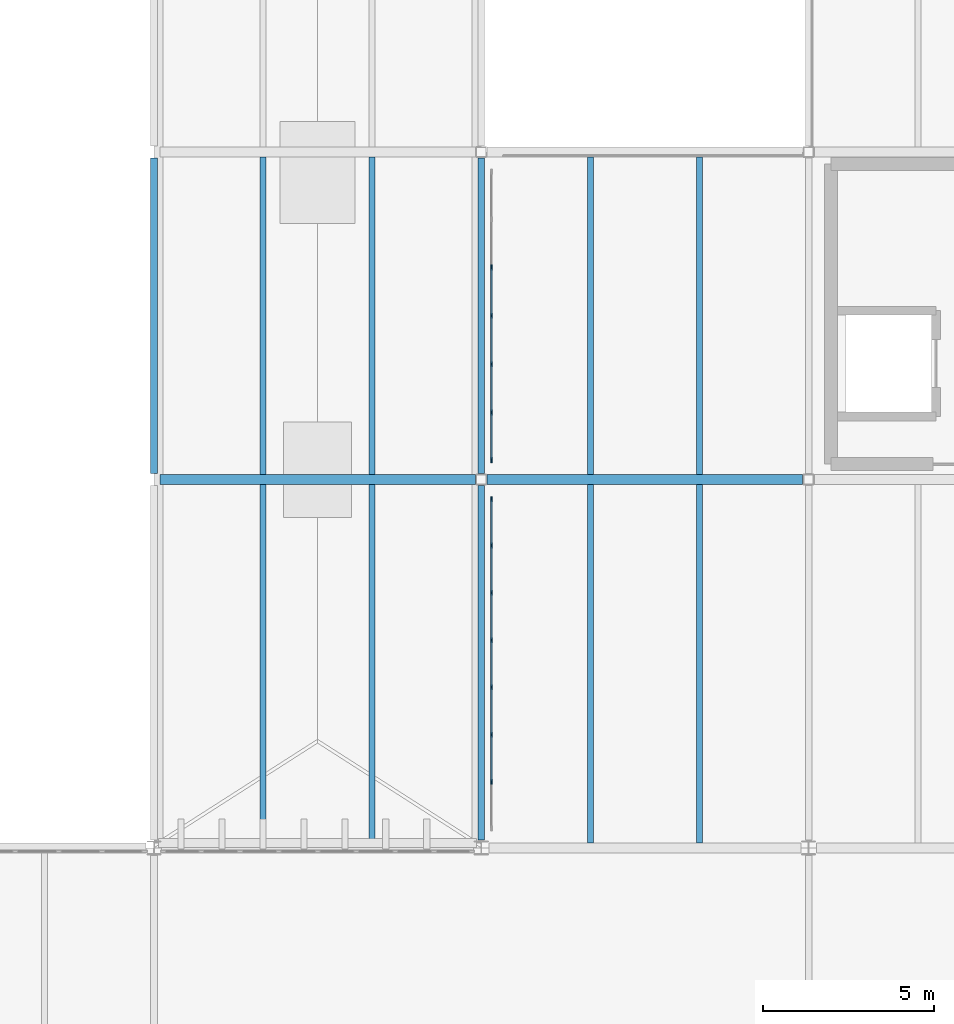
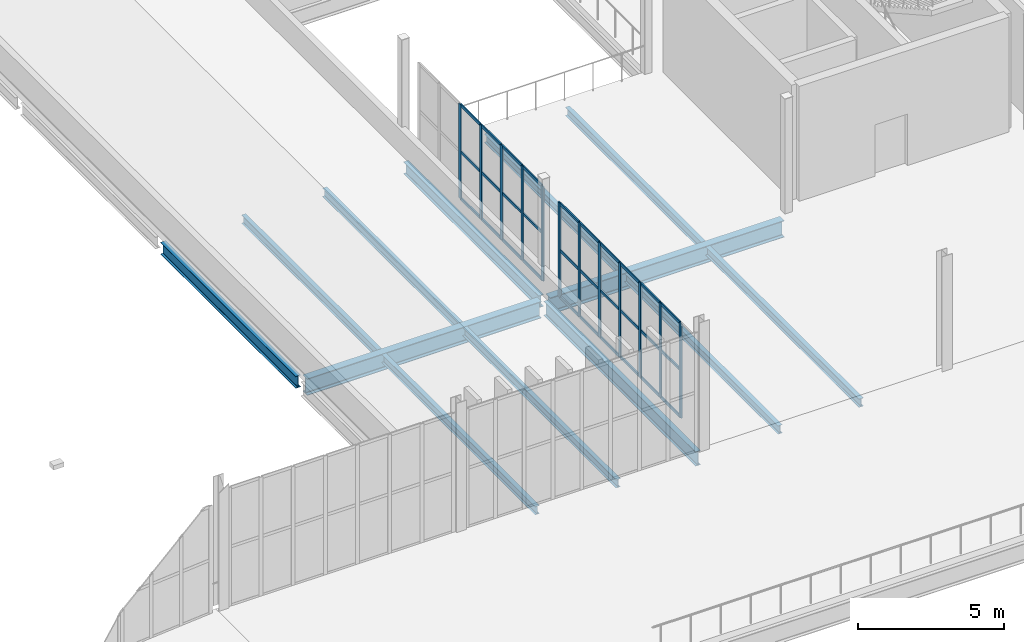
# One storey, part 43 of 112: 42 members, 13 beams, 2 elements without a shape of their own.
"""IFC4 building model written with IfcOpenShell, lengths in metres."""

import ifcopenshell
import ifcopenshell.guid

model = None  # the IFC model being written
_history = None  # IfcOwnerHistory: only IFC2X3 demands one
_inside = {}  # id of a spatial element -> (the spatial element, [elements in it])
_under = {}  # id of a project, library or spatial element -> (it, [spatial elements below it])
_declared = {}  # id of a project -> (the project, [libraries it declares])
_typed = {}  # id of a type object -> (the type object, [elements of that type])
_made_of = {}  # id of a material, layer set ... -> (it, [elements and type objects made of it])


def new_model(schema):
    """Start an empty IFC model of exactly this schema.

    Asked for "IFC4X3", IfcOpenShell would pick the latest addendum, in which some entities
    have other attributes; the version numbers below select the first issue.
    IFC2X3 requires an IfcOwnerHistory on every rooted entity: one is made here for all.
    """
    global model, _history
    if schema == "IFC4X3":
        model = ifcopenshell.file(schema_version=(4, 3, 0, 0))
    else:
        model = ifcopenshell.file(schema=schema)
    _inside.clear()
    _under.clear()
    _declared.clear()
    _typed.clear()
    _made_of.clear()
    _history = None
    if model.schema == "IFC2X3":
        org = make("IfcOrganization", Name="unknown")
        user = make(
            "IfcPersonAndOrganization",
            ThePerson=make("IfcPerson", FamilyName="unknown"),
            TheOrganization=org,
        )
        app = make(
            "IfcApplication",
            ApplicationDeveloper=org,
            Version="unknown",
            ApplicationFullName="unknown",
            ApplicationIdentifier="unknown",
        )
        _history = make(
            "IfcOwnerHistory",
            OwningUser=user,
            OwningApplication=app,
            ChangeAction="ADDED",
            CreationDate=0,
        )
    return model


def make(cls, **values):
    """One entity of the class cls with the attributes given. An attribute that is None is left unset."""
    return model.create_entity(
        cls, **{name: value for name, value in values.items() if value is not None}
    )


def rooted(cls, **values):
    """An entity with a GlobalId (a new one), such as an element, a storey or a relation."""
    return make(cls, GlobalId=ifcopenshell.guid.new(), OwnerHistory=_history, **values)


def si_unit(unit_type, name, prefix=None):
    """IfcSIUnit, for example si_unit("LENGTHUNIT", "METRE", prefix="MILLI")."""
    return make("IfcSIUnit", UnitType=unit_type, Prefix=prefix, Name=name)


def assignment(units):
    """IfcUnitAssignment: the units of a project."""
    return None if units is None else make("IfcUnitAssignment", Units=units)


def point(xyz):
    """IfcCartesianPoint."""
    return None if xyz is None else make("IfcCartesianPoint", Coordinates=xyz)


def direction(xyz):
    """IfcDirection."""
    return None if xyz is None else make("IfcDirection", DirectionRatios=xyz)


def frame(location, z_axis=None, x_axis=None):
    """IfcAxis2Placement3D, a coordinate frame: its origin and axes. An axis left out is left unset."""
    return make(
        "IfcAxis2Placement3D",
        Location=point(location),
        Axis=direction(z_axis),
        RefDirection=direction(x_axis),
    )


def frame_2d(location, x_axis=None):
    """IfcAxis2Placement2D, a coordinate frame in the plane: its origin and x axis."""
    return make(
        "IfcAxis2Placement2D", Location=point(location), RefDirection=direction(x_axis)
    )


def origin():
    """The frame at (0, 0, 0) with its axes left unset."""
    return frame((0.0, 0.0, 0.0))


def origin_2d():
    """The frame at (0, 0) in the plane with its x axis left unset."""
    return frame_2d((0.0, 0.0))


def place(relative_to, where):
    """IfcLocalPlacement: puts the frame where relative to a parent placement (None: the world)."""
    return make(
        "IfcLocalPlacement", PlacementRelTo=relative_to, RelativePlacement=where
    )


def context(
    kind, dimensions, precision=None, world=None, true_north=None, identifier=None
):
    """IfcGeometricRepresentationContext, for example the 3D "Model" context."""
    return make(
        "IfcGeometricRepresentationContext",
        ContextIdentifier=identifier,
        ContextType=kind,
        CoordinateSpaceDimension=dimensions,
        Precision=precision,
        WorldCoordinateSystem=world,
        TrueNorth=true_north,
    )


def subcontext(parent, identifier, kind, view, scale=None):
    """IfcGeometricRepresentationSubContext, for example "Body" below "Model"."""
    return make(
        "IfcGeometricRepresentationSubContext",
        ContextIdentifier=identifier,
        ContextType=kind,
        ParentContext=parent,
        TargetScale=scale,
        TargetView=view,
    )


def project(units=None, contexts=None):
    """IfcProject with its units and contexts."""
    return rooted(
        "IfcProject",
        Name="project",
        RepresentationContexts=contexts,
        UnitsInContext=assignment(units),
    )


def spatial(cls, under=None, at=None, **own):
    """A site, building, storey or space (cls), placed at a placement, below another one or the project."""
    s = rooted(cls, ObjectPlacement=at, **own)
    if under is not None:
        _under.setdefault(under.id(), (under, []))[1].append(s)
    return s


def profile(cls, at=None, kind="AREA", **sizes):
    """A parametric profile (cls). Its sizes go by their IFC names, for example OverallWidth=200.0."""
    return make(cls, ProfileType=kind, Position=at, **sizes)


def rectangle(**sizes):
    """IfcRectangleProfileDef."""
    return profile("IfcRectangleProfileDef", **sizes)


def i_section(**sizes):
    """IfcIShapeProfileDef."""
    return profile("IfcIShapeProfileDef", **sizes)


def extrude(swept, where, along, depth):
    """IfcExtrudedAreaSolid: the profile swept, set in the frame where, extruded along a direction by depth."""
    return make(
        "IfcExtrudedAreaSolid",
        SweptArea=swept,
        Position=where,
        ExtrudedDirection=direction(along),
        Depth=depth,
    )


def shape(context_of_items, identifier, shape_type, items):
    """IfcShapeRepresentation: the items that make up one representation, for example the "Body"."""
    return make(
        "IfcShapeRepresentation",
        ContextOfItems=context_of_items,
        RepresentationIdentifier=identifier,
        RepresentationType=shape_type,
        Items=items,
    )


def material(Name=None, Category=None):
    """IfcMaterial."""
    return make("IfcMaterial", Name=Name, Category=Category)


def layer(
    of_material, thickness, ventilated=None, Name=None, Category=None, Priority=None
):
    """IfcMaterialLayer: one layer of a wall or slab, of a material (None: an air gap)."""
    return make(
        "IfcMaterialLayer",
        Material=of_material,
        LayerThickness=thickness,
        IsVentilated=ventilated,
        Name=Name,
        Category=Category,
        Priority=Priority,
    )


def layer_set(layers, Name=None):
    """IfcMaterialLayerSet."""
    return make("IfcMaterialLayerSet", MaterialLayers=layers, LayerSetName=Name)


def material_profile(
    of_material, cross_section, Name=None, Category=None, Priority=None
):
    """IfcMaterialProfile: a cross section and its material."""
    return make(
        "IfcMaterialProfile",
        Name=Name,
        Material=of_material,
        Profile=cross_section,
        Priority=Priority,
        Category=Category,
    )


def profile_set(profiles, Name=None, composite=None):
    """IfcMaterialProfileSet."""
    return make(
        "IfcMaterialProfileSet",
        Name=Name,
        MaterialProfiles=profiles,
        CompositeProfile=composite,
    )


def made_of(thing, what):
    """Note that an element or type object is made of a material, layer set ...; save() writes the relation."""
    if what is not None:
        _made_of.setdefault(what.id(), (what, []))[1].append(thing)
    return thing


def type_object(cls, material=None, **own):
    """A type object (cls), such as IfcWallType, which elements share."""
    return made_of(rooted(cls, **own), material)


def element(
    cls,
    number,
    at=None,
    inside=None,
    cuts=None,
    type_object=None,
    material=None,
    context=None,
    identifier="Body",
    shape_type=None,
    held_by="IfcProductDefinitionShape",
    body=None,
    shapes=None,
    **own,
):
    """One element of the class cls, such as IfcWall. Its Tag is "e" and its number.

    at: its placement. inside: the storey or other place that contains it. cuts: it is an
    opening in that element (IfcRelVoidsElement). A single representation is given by context,
    identifier, shape_type and body (its items); several are given by shapes. held_by: the class
    of the entity that holds the representations. save() writes the other relations.
    """
    e = rooted(cls, Tag="e%d" % number, ObjectPlacement=at, **own)
    if body is not None:
        shapes = [shape(context, identifier, shape_type, body)]
    if shapes is not None:
        e.Representation = make(held_by, Representations=shapes)
    if inside is not None:
        _inside.setdefault(inside.id(), (inside, []))[1].append(e)
    if cuts is not None:
        rooted(
            "IfcRelVoidsElement", RelatingBuildingElement=cuts, RelatedOpeningElement=e
        )
    if type_object is not None:
        _typed.setdefault(type_object.id(), (type_object, []))[1].append(e)
    return made_of(e, material)


def aggregate(whole, parts):
    """IfcRelAggregates: a whole, such as a stair, and the parts it consists of."""
    return rooted("IfcRelAggregates", RelatingObject=whole, RelatedObjects=parts)


def save(model, path):
    """Write the relations noted so far, then the file.

    IfcRelAggregates (storeys below a building ...), IfcRelContainedInSpatialStructure (elements
    in a storey), IfcRelDefinesByType, IfcRelAssociatesMaterial and IfcRelDeclares: one each for
    every whole, place, type object, material and project.
    """
    for whole, parts in _under.values():
        aggregate(whole, parts)
    for where, things in _inside.values():
        rooted(
            "IfcRelContainedInSpatialStructure",
            RelatedElements=things,
            RelatingStructure=where,
        )
    for kind, things in _typed.values():
        rooted("IfcRelDefinesByType", RelatedObjects=things, RelatingType=kind)
    for what, things in _made_of.values():
        rooted("IfcRelAssociatesMaterial", RelatedObjects=things, RelatingMaterial=what)
    for by, libraries in _declared.values():
        rooted("IfcRelDeclares", RelatingContext=by, RelatedDefinitions=libraries)
    model.write(path)


model = new_model("IFC4")

# Units and contexts
model_context = context("Model", 3, precision=1e-05, world=origin(), true_north=direction((0.0, 1.0)))
body_context = subcontext(model_context, "Body", "Model", "MODEL_VIEW")
ifc_project = project(units=[si_unit("LENGTHUNIT", "METRE"), si_unit("AREAUNIT", "SQUARE_METRE"), si_unit("VOLUMEUNIT", "CUBIC_METRE"), si_unit("PLANEANGLEUNIT", "RADIAN"), si_unit("MASSUNIT", "GRAM", prefix="KILO")], contexts=[model_context])

# Site, building, storey
site_placement = place(None, origin())
site = spatial("IfcSite", under=ifc_project, at=site_placement, CompositionType="ELEMENT")
building_placement = place(site_placement, origin())
building = spatial("IfcBuilding", under=site, at=building_placement, Name="Yeouljin Market Hall", CompositionType="ELEMENT")
storey_placement = place(building_placement, frame((0.0, 0.0, 6.0)))
storey = spatial("IfcBuildingStorey", under=building, at=storey_placement, Name="L01", CompositionType="ELEMENT", Elevation=6.0)

# Beams
ifc_material_1 = material(Name="Steel SM355", Category="steel")
ifc_material_profile_1 = material_profile(ifc_material_1, i_section(OverallWidth=0.199951171875, OverallDepth=0.5, WebThickness=0.010009765625, FlangeThickness=0.01611328125, FilletRadius=0.02001953125, at=origin_2d()), Name="H-500x200x10x16")
ifc_profile_set_1 = profile_set([ifc_material_profile_1], Name="Steel SM355")
beam_type_1 = type_object("IfcBeamType", Name="Beam_H-500x200x10x16", PredefinedType="BEAM", material=ifc_profile_set_1)
for number, where, z_axis, x_axis, name in (
    (1, (45.0, 88.97509765625, -0.530029296875), (0.0, 1.0, 0.0), (-1.0, 0.0, 0.0), "Primary beam BM-L01-Y159"),
    (2, (54.60009765625, 88.97509765625, -0.530029296875), (0.0, 1.0, 0.0), (-1.0, 0.0, 0.0), "Primary beam BM-L01-Y164"),
):
    element("IfcBeam", number, at=place(storey_placement, frame(where, z_axis=z_axis, x_axis=x_axis)), inside=storey, type_object=beam_type_1, Name=name, PredefinedType="BEAM", context=body_context, shape_type="SweptSolid", body=[
        extrude(i_section(OverallWidth=0.199951171875, OverallDepth=0.5, WebThickness=0.010009765625, FlangeThickness=0.01611328125, FilletRadius=0.02001953125, at=origin_2d()), origin(), (0.0, 0.0, 1.0), 9.25),
    ])
ifc_material_2 = material(Name="Steel SM355", Category="steel")
ifc_material_profile_2 = material_profile(ifc_material_2, i_section(OverallWidth=0.199951171875, OverallDepth=0.60009765625, WebThickness=0.010986328125, FlangeThickness=0.01708984375, FilletRadius=0.02197265625, at=origin_2d()), Name="H-600x200x11x17")
ifc_profile_set_2 = profile_set([ifc_material_profile_2], Name="Steel SM355")
beam_type_2 = type_object("IfcBeamType", Name="Beam_H-600x200x11x17", PredefinedType="BEAM", material=ifc_profile_set_2)
beam_placement = place(storey_placement, frame((54.60009765625, 78.22509765625, -0.580078125), z_axis=(0.0, 1.0, 0.0), x_axis=(-1.0, 0.0, 0.0)))
element("IfcBeam", 3, at=beam_placement, inside=storey, type_object=beam_type_2, Name="Primary beam BM-L01-Y163", PredefinedType="BEAM", context=body_context, shape_type="SweptSolid", body=[
    extrude(i_section(OverallWidth=0.199951171875, OverallDepth=0.60009765625, WebThickness=0.010986328125, FlangeThickness=0.01708984375, FilletRadius=0.02197265625, at=origin_2d()), origin(), (0.0, 0.0, 1.0), 10.39990234375),
])

# Curtain wall, members
ifc_material_3 = material(Name="Thermally Broken Aluminium", Category="aluminium")
ifc_layer = layer(ifc_material_3, 0.14990234375)
ifc_layer_set = layer_set([ifc_layer], Name="Thermally Broken Aluminium")
curtain_wall_type = type_object("IfcCurtainWallType", Name="CW_WingStorefront_System", PredefinedType="USERDEFINED", material=ifc_layer_set)
curtain_wall_1_placement = place(storey_placement, origin())
curtain_wall_1 = element("IfcCurtainWall", 4, at=curtain_wall_1_placement, inside=storey, type_object=curtain_wall_type, Name="Curtain wall CW-CRT-L01-21", ObjectType="CURTAIN WALL", PredefinedType="USERDEFINED")
ifc_material_4 = material(Name="Thermally Broken Aluminium", Category="aluminium")
ifc_material_profile_3 = material_profile(ifc_material_4, rectangle(XDim=0.048095703125, YDim=0.14990234375, at=origin_2d()), Name="CW-MULL-48x150")
ifc_profile_set_3 = profile_set([ifc_material_profile_3], Name="Thermally Broken Aluminium")
member_type_1 = type_object("IfcMemberType", Name="CWMullion_48x150", PredefinedType="MULLION", material=ifc_profile_set_3)
member_1_placement = place(storey_placement, frame((54.89990234375, 79.935791015625, 0.0), z_axis=(0.0, 0.0, 1.0), x_axis=(-1.0, 0.0, 0.0)))
member_1 = element("IfcMember", 5, at=member_1_placement, type_object=member_type_1, Name="CW-04 mullion 2", PredefinedType="MULLION", context=body_context, shape_type="SweptSolid", body=[
    extrude(rectangle(XDim=0.048095703125, YDim=0.14990234375, at=origin_2d()), origin(), (0.0, 0.0, 1.0), 3.949951171875),
])
member_2_placement = place(storey_placement, frame((54.89990234375, 81.321533203125, 0.0), z_axis=(0.0, 0.0, 1.0), x_axis=(-1.0, 0.0, 0.0)))
member_2 = element("IfcMember", 6, at=member_2_placement, type_object=member_type_1, Name="CW-04 mullion 3", PredefinedType="MULLION", context=body_context, shape_type="SweptSolid", body=[
    extrude(rectangle(XDim=0.048095703125, YDim=0.14990234375, at=origin_2d()), origin(), (0.0, 0.0, 1.0), 3.949951171875),
])
member_3_placement = place(storey_placement, frame((54.89990234375, 82.70703125, 0.0), z_axis=(0.0, 0.0, 1.0), x_axis=(-1.0, 0.0, 0.0)))
member_3 = element("IfcMember", 7, at=member_3_placement, type_object=member_type_1, Name="CW-04 mullion 4", PredefinedType="MULLION", context=body_context, shape_type="SweptSolid", body=[
    extrude(rectangle(XDim=0.048095703125, YDim=0.14990234375, at=origin_2d()), origin(), (0.0, 0.0, 1.0), 3.949951171875),
])
member_4_placement = place(storey_placement, frame((54.89990234375, 84.0927734375, 0.0), z_axis=(0.0, 0.0, 1.0), x_axis=(-1.0, 0.0, 0.0)))
member_4 = element("IfcMember", 8, at=member_4_placement, type_object=member_type_1, Name="CW-04 mullion 5", PredefinedType="MULLION", context=body_context, shape_type="SweptSolid", body=[
    extrude(rectangle(XDim=0.048095703125, YDim=0.14990234375, at=origin_2d()), origin(), (0.0, 0.0, 1.0), 3.949951171875),
])
member_5_placement = place(storey_placement, frame((54.89990234375, 85.478515625, 0.0), z_axis=(0.0, 0.0, 1.0), x_axis=(-1.0, 0.0, 0.0)))
member_5 = element("IfcMember", 9, at=member_5_placement, type_object=member_type_1, Name="CW-04 mullion 6", PredefinedType="MULLION", context=body_context, shape_type="SweptSolid", body=[
    extrude(rectangle(XDim=0.048095703125, YDim=0.14990234375, at=origin_2d()), origin(), (0.0, 0.0, 1.0), 3.949951171875),
])
member_6_placement = place(storey_placement, frame((54.89990234375, 86.8642578125, 0.0), z_axis=(0.0, 0.0, 1.0), x_axis=(-1.0, 0.0, 0.0)))
member_6 = element("IfcMember", 10, at=member_6_placement, type_object=member_type_1, Name="CW-04 mullion 7", PredefinedType="MULLION", context=body_context, shape_type="SweptSolid", body=[
    extrude(rectangle(XDim=0.048095703125, YDim=0.14990234375, at=origin_2d()), origin(), (0.0, 0.0, 1.0), 3.949951171875),
])
member_7_placement = place(storey_placement, frame((54.89990234375, 88.22607421875, 0.0), z_axis=(0.0, 0.0, 1.0), x_axis=(-1.0, 0.0, 0.0)))
member_7 = element("IfcMember", 11, at=member_7_placement, type_object=member_type_1, Name="CW-04 mullion 8", PredefinedType="MULLION", context=body_context, shape_type="SweptSolid", body=[
    extrude(rectangle(XDim=0.048095703125, YDim=0.14990234375, at=origin_2d()), origin(), (0.0, 0.0, 1.0), 3.949951171875),
])

curtain_wall_2_placement = place(storey_placement, origin())
curtain_wall_2 = element("IfcCurtainWall", 12, at=curtain_wall_2_placement, inside=storey, type_object=curtain_wall_type, Name="Curtain wall CW-CRT-L01-22", ObjectType="CURTAIN WALL", PredefinedType="USERDEFINED")
member_8_placement = place(storey_placement, frame((54.89990234375, 89.3740234375, 0.0), z_axis=(0.0, 0.0, 1.0), x_axis=(-1.0, 0.0, 0.0)))
member_8 = element("IfcMember", 13, at=member_8_placement, type_object=member_type_1, Name="CW-04 mullion 1", PredefinedType="MULLION", context=body_context, shape_type="SweptSolid", body=[
    extrude(rectangle(XDim=0.048095703125, YDim=0.14990234375, at=origin_2d()), origin(), (0.0, 0.0, 1.0), 3.949951171875),
])
member_9_placement = place(storey_placement, frame((54.89990234375, 90.7666015625, 0.0), z_axis=(0.0, 0.0, 1.0), x_axis=(-1.0, 0.0, 0.0)))
member_9 = element("IfcMember", 14, at=member_9_placement, type_object=member_type_1, Name="CW-04 mullion 2", PredefinedType="MULLION", context=body_context, shape_type="SweptSolid", body=[
    extrude(rectangle(XDim=0.048095703125, YDim=0.14990234375, at=origin_2d()), origin(), (0.0, 0.0, 1.0), 3.949951171875),
])
member_10_placement = place(storey_placement, frame((54.89990234375, 92.183349609375, 0.0), z_axis=(0.0, 0.0, 1.0), x_axis=(-1.0, 0.0, 0.0)))
member_10 = element("IfcMember", 15, at=member_10_placement, type_object=member_type_1, Name="CW-04 mullion 3", PredefinedType="MULLION", context=body_context, shape_type="SweptSolid", body=[
    extrude(rectangle(XDim=0.048095703125, YDim=0.14990234375, at=origin_2d()), origin(), (0.0, 0.0, 1.0), 3.949951171875),
])
member_11_placement = place(storey_placement, frame((54.89990234375, 93.60009765625, 0.0), z_axis=(0.0, 0.0, 1.0), x_axis=(-1.0, 0.0, 0.0)))
member_11 = element("IfcMember", 16, at=member_11_placement, type_object=member_type_1, Name="CW-04 mullion 4", PredefinedType="MULLION", context=body_context, shape_type="SweptSolid", body=[
    extrude(rectangle(XDim=0.048095703125, YDim=0.14990234375, at=origin_2d()), origin(), (0.0, 0.0, 1.0), 3.949951171875),
])
member_12_placement = place(storey_placement, frame((54.89990234375, 95.0166015625, 0.0), z_axis=(0.0, 0.0, 1.0), x_axis=(-1.0, 0.0, 0.0)))
member_12 = element("IfcMember", 17, at=member_12_placement, type_object=member_type_1, Name="CW-04 mullion 5", PredefinedType="MULLION", context=body_context, shape_type="SweptSolid", body=[
    extrude(rectangle(XDim=0.048095703125, YDim=0.14990234375, at=origin_2d()), origin(), (0.0, 0.0, 1.0), 3.949951171875),
])

# Member
ifc_material_5 = material(Name="Thermally Broken Aluminium", Category="aluminium")
ifc_material_profile_4 = material_profile(ifc_material_5, rectangle(XDim=0.048095703125, YDim=0.1201171875, at=origin_2d()), Name="CW-TRAN-48x120")
ifc_profile_set_4 = profile_set([ifc_material_profile_4], Name="Thermally Broken Aluminium")
member_type_2 = type_object("IfcMemberType", Name="CWTransom_48x120", PredefinedType="USERDEFINED", material=ifc_profile_set_4)
member_13_placement = place(storey_placement, frame((54.89990234375, 79.959716796875, 0.02392578125), z_axis=(0.0, 1.0, 0.0), x_axis=(-1.0, 0.0, 0.0)))
member_13 = element("IfcMember", 18, at=member_13_placement, type_object=member_type_2, Name="CW-04 transom 2.1", ObjectType="TRANSOM", PredefinedType="USERDEFINED", context=body_context, shape_type="SweptSolid", body=[
    extrude(rectangle(XDim=0.048095703125, YDim=0.1201171875, at=origin_2d()), origin(), (0.0, 0.0, 1.0), 1.337646484375),
])

member_14_placement = place(storey_placement, frame((54.89990234375, 79.959716796875, 1.97509765625), z_axis=(0.0, 1.0, 0.0), x_axis=(-1.0, 0.0, 0.0)))
member_14 = element("IfcMember", 19, at=member_14_placement, type_object=member_type_2, Name="CW-04 transom 2.2", ObjectType="TRANSOM", PredefinedType="USERDEFINED", context=body_context, shape_type="SweptSolid", body=[
    extrude(rectangle(XDim=0.048095703125, YDim=0.1201171875, at=origin_2d()), origin(), (0.0, 0.0, 1.0), 1.337646484375),
])

member_15_placement = place(storey_placement, frame((54.89990234375, 79.959716796875, 3.926025390625), z_axis=(0.0, 1.0, 0.0), x_axis=(-1.0, 0.0, 0.0)))
member_15 = element("IfcMember", 20, at=member_15_placement, type_object=member_type_2, Name="CW-04 transom 2.3", ObjectType="TRANSOM", PredefinedType="USERDEFINED", context=body_context, shape_type="SweptSolid", body=[
    extrude(rectangle(XDim=0.048095703125, YDim=0.1201171875, at=origin_2d()), origin(), (0.0, 0.0, 1.0), 1.337646484375),
])

member_16_placement = place(storey_placement, frame((54.89990234375, 81.345458984375, 0.02392578125), z_axis=(0.0, 1.0, 0.0), x_axis=(-1.0, 0.0, 0.0)))
member_16 = element("IfcMember", 21, at=member_16_placement, type_object=member_type_2, Name="CW-04 transom 3.1", ObjectType="TRANSOM", PredefinedType="USERDEFINED", context=body_context, shape_type="SweptSolid", body=[
    extrude(rectangle(XDim=0.048095703125, YDim=0.1201171875, at=origin_2d()), origin(), (0.0, 0.0, 1.0), 1.337646484375),
])

member_17_placement = place(storey_placement, frame((54.89990234375, 81.345458984375, 1.97509765625), z_axis=(0.0, 1.0, 0.0), x_axis=(-1.0, 0.0, 0.0)))
member_17 = element("IfcMember", 22, at=member_17_placement, type_object=member_type_2, Name="CW-04 transom 3.2", ObjectType="TRANSOM", PredefinedType="USERDEFINED", context=body_context, shape_type="SweptSolid", body=[
    extrude(rectangle(XDim=0.048095703125, YDim=0.1201171875, at=origin_2d()), origin(), (0.0, 0.0, 1.0), 1.337646484375),
])

member_18_placement = place(storey_placement, frame((54.89990234375, 81.345458984375, 3.926025390625), z_axis=(0.0, 1.0, 0.0), x_axis=(-1.0, 0.0, 0.0)))
member_18 = element("IfcMember", 23, at=member_18_placement, type_object=member_type_2, Name="CW-04 transom 3.3", ObjectType="TRANSOM", PredefinedType="USERDEFINED", context=body_context, shape_type="SweptSolid", body=[
    extrude(rectangle(XDim=0.048095703125, YDim=0.1201171875, at=origin_2d()), origin(), (0.0, 0.0, 1.0), 1.337646484375),
])

member_19_placement = place(storey_placement, frame((54.89990234375, 82.731201171875, 0.02392578125), z_axis=(0.0, 1.0, 0.0), x_axis=(-1.0, 0.0, 0.0)))
member_19 = element("IfcMember", 24, at=member_19_placement, type_object=member_type_2, Name="CW-04 transom 4.1", ObjectType="TRANSOM", PredefinedType="USERDEFINED", context=body_context, shape_type="SweptSolid", body=[
    extrude(rectangle(XDim=0.048095703125, YDim=0.1201171875, at=origin_2d()), origin(), (0.0, 0.0, 1.0), 1.337646484375),
])

member_20_placement = place(storey_placement, frame((54.89990234375, 82.731201171875, 1.97509765625), z_axis=(0.0, 1.0, 0.0), x_axis=(-1.0, 0.0, 0.0)))
member_20 = element("IfcMember", 25, at=member_20_placement, type_object=member_type_2, Name="CW-04 transom 4.2", ObjectType="TRANSOM", PredefinedType="USERDEFINED", context=body_context, shape_type="SweptSolid", body=[
    extrude(rectangle(XDim=0.048095703125, YDim=0.1201171875, at=origin_2d()), origin(), (0.0, 0.0, 1.0), 1.337646484375),
])

member_21_placement = place(storey_placement, frame((54.89990234375, 82.731201171875, 3.926025390625), z_axis=(0.0, 1.0, 0.0), x_axis=(-1.0, 0.0, 0.0)))
member_21 = element("IfcMember", 26, at=member_21_placement, type_object=member_type_2, Name="CW-04 transom 4.3", ObjectType="TRANSOM", PredefinedType="USERDEFINED", context=body_context, shape_type="SweptSolid", body=[
    extrude(rectangle(XDim=0.048095703125, YDim=0.1201171875, at=origin_2d()), origin(), (0.0, 0.0, 1.0), 1.337646484375),
])

member_22_placement = place(storey_placement, frame((54.89990234375, 84.116943359375, 0.02392578125), z_axis=(0.0, 1.0, 0.0), x_axis=(-1.0, 0.0, 0.0)))
member_22 = element("IfcMember", 27, at=member_22_placement, type_object=member_type_2, Name="CW-04 transom 5.1", ObjectType="TRANSOM", PredefinedType="USERDEFINED", context=body_context, shape_type="SweptSolid", body=[
    extrude(rectangle(XDim=0.048095703125, YDim=0.1201171875, at=origin_2d()), origin(), (0.0, 0.0, 1.0), 1.337646484375),
])

member_23_placement = place(storey_placement, frame((54.89990234375, 84.116943359375, 1.97509765625), z_axis=(0.0, 1.0, 0.0), x_axis=(-1.0, 0.0, 0.0)))
member_23 = element("IfcMember", 28, at=member_23_placement, type_object=member_type_2, Name="CW-04 transom 5.2", ObjectType="TRANSOM", PredefinedType="USERDEFINED", context=body_context, shape_type="SweptSolid", body=[
    extrude(rectangle(XDim=0.048095703125, YDim=0.1201171875, at=origin_2d()), origin(), (0.0, 0.0, 1.0), 1.337646484375),
])

member_24_placement = place(storey_placement, frame((54.89990234375, 84.116943359375, 3.926025390625), z_axis=(0.0, 1.0, 0.0), x_axis=(-1.0, 0.0, 0.0)))
member_24 = element("IfcMember", 29, at=member_24_placement, type_object=member_type_2, Name="CW-04 transom 5.3", ObjectType="TRANSOM", PredefinedType="USERDEFINED", context=body_context, shape_type="SweptSolid", body=[
    extrude(rectangle(XDim=0.048095703125, YDim=0.1201171875, at=origin_2d()), origin(), (0.0, 0.0, 1.0), 1.337646484375),
])

member_25_placement = place(storey_placement, frame((54.89990234375, 85.502685546875, 0.02392578125), z_axis=(0.0, 1.0, 0.0), x_axis=(-1.0, 0.0, 0.0)))
member_25 = element("IfcMember", 30, at=member_25_placement, type_object=member_type_2, Name="CW-04 transom 6.1", ObjectType="TRANSOM", PredefinedType="USERDEFINED", context=body_context, shape_type="SweptSolid", body=[
    extrude(rectangle(XDim=0.048095703125, YDim=0.1201171875, at=origin_2d()), origin(), (0.0, 0.0, 1.0), 1.337646484375),
])

member_26_placement = place(storey_placement, frame((54.89990234375, 85.502685546875, 1.97509765625), z_axis=(0.0, 1.0, 0.0), x_axis=(-1.0, 0.0, 0.0)))
member_26 = element("IfcMember", 31, at=member_26_placement, type_object=member_type_2, Name="CW-04 transom 6.2", ObjectType="TRANSOM", PredefinedType="USERDEFINED", context=body_context, shape_type="SweptSolid", body=[
    extrude(rectangle(XDim=0.048095703125, YDim=0.1201171875, at=origin_2d()), origin(), (0.0, 0.0, 1.0), 1.337646484375),
])

member_27_placement = place(storey_placement, frame((54.89990234375, 85.502685546875, 3.926025390625), z_axis=(0.0, 1.0, 0.0), x_axis=(-1.0, 0.0, 0.0)))
member_27 = element("IfcMember", 32, at=member_27_placement, type_object=member_type_2, Name="CW-04 transom 6.3", ObjectType="TRANSOM", PredefinedType="USERDEFINED", context=body_context, shape_type="SweptSolid", body=[
    extrude(rectangle(XDim=0.048095703125, YDim=0.1201171875, at=origin_2d()), origin(), (0.0, 0.0, 1.0), 1.337646484375),
])

member_28_placement = place(storey_placement, frame((54.89990234375, 86.88818359375, 0.02392578125), z_axis=(0.0, 1.0, 0.0), x_axis=(-1.0, 0.0, 0.0)))
member_28 = element("IfcMember", 33, at=member_28_placement, type_object=member_type_2, Name="CW-04 transom 7.1", ObjectType="TRANSOM", PredefinedType="USERDEFINED", context=body_context, shape_type="SweptSolid", body=[
    extrude(rectangle(XDim=0.048095703125, YDim=0.1201171875, at=origin_2d()), origin(), (0.0, 0.0, 1.0), 1.313720703125),
])

member_29_placement = place(storey_placement, frame((54.89990234375, 86.88818359375, 1.97509765625), z_axis=(0.0, 1.0, 0.0), x_axis=(-1.0, 0.0, 0.0)))
member_29 = element("IfcMember", 34, at=member_29_placement, type_object=member_type_2, Name="CW-04 transom 7.2", ObjectType="TRANSOM", PredefinedType="USERDEFINED", context=body_context, shape_type="SweptSolid", body=[
    extrude(rectangle(XDim=0.048095703125, YDim=0.1201171875, at=origin_2d()), origin(), (0.0, 0.0, 1.0), 1.313720703125),
])

member_30_placement = place(storey_placement, frame((54.89990234375, 86.88818359375, 3.926025390625), z_axis=(0.0, 1.0, 0.0), x_axis=(-1.0, 0.0, 0.0)))
member_30 = element("IfcMember", 35, at=member_30_placement, type_object=member_type_2, Name="CW-04 transom 7.3", ObjectType="TRANSOM", PredefinedType="USERDEFINED", context=body_context, shape_type="SweptSolid", body=[
    extrude(rectangle(XDim=0.048095703125, YDim=0.1201171875, at=origin_2d()), origin(), (0.0, 0.0, 1.0), 1.313720703125),
])

aggregate(curtain_wall_1, [member_1, member_2, member_3, member_4, member_5, member_6, member_7, member_13, member_14, member_15, member_16, member_17, member_18, member_19, member_20, member_21, member_22, member_23, member_24, member_25, member_26, member_27, member_28, member_29, member_30])

member_31_placement = place(storey_placement, frame((54.89990234375, 89.39794921875, 0.02392578125), z_axis=(0.0, 1.0, 0.0), x_axis=(-1.0, 0.0, 0.0)))
member_31 = element("IfcMember", 36, at=member_31_placement, type_object=member_type_2, Name="CW-04 transom 1.1", ObjectType="TRANSOM", PredefinedType="USERDEFINED", context=body_context, shape_type="SweptSolid", body=[
    extrude(rectangle(XDim=0.048095703125, YDim=0.1201171875, at=origin_2d()), origin(), (0.0, 0.0, 1.0), 1.3447265625),
])

member_32_placement = place(storey_placement, frame((54.89990234375, 89.39794921875, 1.97509765625), z_axis=(0.0, 1.0, 0.0), x_axis=(-1.0, 0.0, 0.0)))
member_32 = element("IfcMember", 37, at=member_32_placement, type_object=member_type_2, Name="CW-04 transom 1.2", ObjectType="TRANSOM", PredefinedType="USERDEFINED", context=body_context, shape_type="SweptSolid", body=[
    extrude(rectangle(XDim=0.048095703125, YDim=0.1201171875, at=origin_2d()), origin(), (0.0, 0.0, 1.0), 1.3447265625),
])

member_33_placement = place(storey_placement, frame((54.89990234375, 89.39794921875, 3.926025390625), z_axis=(0.0, 1.0, 0.0), x_axis=(-1.0, 0.0, 0.0)))
member_33 = element("IfcMember", 38, at=member_33_placement, type_object=member_type_2, Name="CW-04 transom 1.3", ObjectType="TRANSOM", PredefinedType="USERDEFINED", context=body_context, shape_type="SweptSolid", body=[
    extrude(rectangle(XDim=0.048095703125, YDim=0.1201171875, at=origin_2d()), origin(), (0.0, 0.0, 1.0), 1.3447265625),
])

member_34_placement = place(storey_placement, frame((54.89990234375, 90.790771484375, 0.02392578125), z_axis=(0.0, 1.0, 0.0), x_axis=(-1.0, 0.0, 0.0)))
member_34 = element("IfcMember", 39, at=member_34_placement, type_object=member_type_2, Name="CW-04 transom 2.1", ObjectType="TRANSOM", PredefinedType="USERDEFINED", context=body_context, shape_type="SweptSolid", body=[
    extrude(rectangle(XDim=0.048095703125, YDim=0.1201171875, at=origin_2d()), origin(), (0.0, 0.0, 1.0), 1.36865234375),
])

member_35_placement = place(storey_placement, frame((54.89990234375, 90.790771484375, 1.97509765625), z_axis=(0.0, 1.0, 0.0), x_axis=(-1.0, 0.0, 0.0)))
member_35 = element("IfcMember", 40, at=member_35_placement, type_object=member_type_2, Name="CW-04 transom 2.2", ObjectType="TRANSOM", PredefinedType="USERDEFINED", context=body_context, shape_type="SweptSolid", body=[
    extrude(rectangle(XDim=0.048095703125, YDim=0.1201171875, at=origin_2d()), origin(), (0.0, 0.0, 1.0), 1.36865234375),
])

member_36_placement = place(storey_placement, frame((54.89990234375, 90.790771484375, 3.926025390625), z_axis=(0.0, 1.0, 0.0), x_axis=(-1.0, 0.0, 0.0)))
member_36 = element("IfcMember", 41, at=member_36_placement, type_object=member_type_2, Name="CW-04 transom 2.3", ObjectType="TRANSOM", PredefinedType="USERDEFINED", context=body_context, shape_type="SweptSolid", body=[
    extrude(rectangle(XDim=0.048095703125, YDim=0.1201171875, at=origin_2d()), origin(), (0.0, 0.0, 1.0), 1.36865234375),
])

member_37_placement = place(storey_placement, frame((54.89990234375, 92.207275390625, 0.02392578125), z_axis=(0.0, 1.0, 0.0), x_axis=(-1.0, 0.0, 0.0)))
member_37 = element("IfcMember", 42, at=member_37_placement, type_object=member_type_2, Name="CW-04 transom 3.1", ObjectType="TRANSOM", PredefinedType="USERDEFINED", context=body_context, shape_type="SweptSolid", body=[
    extrude(rectangle(XDim=0.048095703125, YDim=0.1201171875, at=origin_2d()), origin(), (0.0, 0.0, 1.0), 1.36865234375),
])

member_38_placement = place(storey_placement, frame((54.89990234375, 92.207275390625, 1.97509765625), z_axis=(0.0, 1.0, 0.0), x_axis=(-1.0, 0.0, 0.0)))
member_38 = element("IfcMember", 43, at=member_38_placement, type_object=member_type_2, Name="CW-04 transom 3.2", ObjectType="TRANSOM", PredefinedType="USERDEFINED", context=body_context, shape_type="SweptSolid", body=[
    extrude(rectangle(XDim=0.048095703125, YDim=0.1201171875, at=origin_2d()), origin(), (0.0, 0.0, 1.0), 1.36865234375),
])

member_39_placement = place(storey_placement, frame((54.89990234375, 92.207275390625, 3.926025390625), z_axis=(0.0, 1.0, 0.0), x_axis=(-1.0, 0.0, 0.0)))
member_39 = element("IfcMember", 44, at=member_39_placement, type_object=member_type_2, Name="CW-04 transom 3.3", ObjectType="TRANSOM", PredefinedType="USERDEFINED", context=body_context, shape_type="SweptSolid", body=[
    extrude(rectangle(XDim=0.048095703125, YDim=0.1201171875, at=origin_2d()), origin(), (0.0, 0.0, 1.0), 1.36865234375),
])

member_40_placement = place(storey_placement, frame((54.89990234375, 93.6240234375, 0.02392578125), z_axis=(0.0, 1.0, 0.0), x_axis=(-1.0, 0.0, 0.0)))
member_40 = element("IfcMember", 45, at=member_40_placement, type_object=member_type_2, Name="CW-04 transom 4.1", ObjectType="TRANSOM", PredefinedType="USERDEFINED", context=body_context, shape_type="SweptSolid", body=[
    extrude(rectangle(XDim=0.048095703125, YDim=0.1201171875, at=origin_2d()), origin(), (0.0, 0.0, 1.0), 1.36865234375),
])

member_41_placement = place(storey_placement, frame((54.89990234375, 93.6240234375, 1.97509765625), z_axis=(0.0, 1.0, 0.0), x_axis=(-1.0, 0.0, 0.0)))
member_41 = element("IfcMember", 46, at=member_41_placement, type_object=member_type_2, Name="CW-04 transom 4.2", ObjectType="TRANSOM", PredefinedType="USERDEFINED", context=body_context, shape_type="SweptSolid", body=[
    extrude(rectangle(XDim=0.048095703125, YDim=0.1201171875, at=origin_2d()), origin(), (0.0, 0.0, 1.0), 1.36865234375),
])

member_42_placement = place(storey_placement, frame((54.89990234375, 93.6240234375, 3.926025390625), z_axis=(0.0, 1.0, 0.0), x_axis=(-1.0, 0.0, 0.0)))
member_42 = element("IfcMember", 47, at=member_42_placement, type_object=member_type_2, Name="CW-04 transom 4.3", ObjectType="TRANSOM", PredefinedType="USERDEFINED", context=body_context, shape_type="SweptSolid", body=[
    extrude(rectangle(XDim=0.048095703125, YDim=0.1201171875, at=origin_2d()), origin(), (0.0, 0.0, 1.0), 1.36865234375),
])

aggregate(curtain_wall_2, [member_8, member_9, member_10, member_11, member_12, member_31, member_32, member_33, member_34, member_35, member_36, member_37, member_38, member_39, member_40, member_41, member_42])

# Beams
ifc_material_6 = material(Name="Steel SM355", Category="steel")
ifc_material_profile_5 = material_profile(ifc_material_6, i_section(OverallWidth=0.300048828125, OverallDepth=0.699951171875, WebThickness=0.012939453125, FlangeThickness=0.02392578125, FilletRadius=0.02587890625, at=origin_2d()), Name="H-700x300x13x24")
ifc_profile_set_5 = profile_set([ifc_material_profile_5], Name="Steel SM355")
beam_type_3 = type_object("IfcBeamType", Name="Girder_H-700x300x13x24", PredefinedType="USERDEFINED", material=ifc_profile_set_5)
for number, where, z_axis, x_axis, name in (
    (48, (45.175048828125, 88.800048828125, -0.6298828125), (1.0, 0.0, 0.0), (0.0, 1.0, 0.0), "Primary girder GRD-L01-X096"),
    (49, (54.77490234375, 88.800048828125, -0.610107421875), (1.0, 0.0, 0.0), (0.0, 1.0, 0.0), "Primary girder GRD-L01-X097"),
):
    element("IfcBeam", number, at=place(storey_placement, frame(where, z_axis=z_axis, x_axis=x_axis)), inside=storey, type_object=beam_type_3, Name=name, ObjectType="GIRDER", PredefinedType="USERDEFINED", context=body_context, shape_type="SweptSolid", body=[
        extrude(i_section(OverallWidth=0.300048828125, OverallDepth=0.699951171875, WebThickness=0.012939453125, FlangeThickness=0.02392578125, FilletRadius=0.02587890625, at=origin_2d()), origin(), (0.0, 0.0, 1.0), 9.25),
    ])
ifc_material_7 = material(Name="Steel SM355", Category="steel")
ifc_material_profile_6 = material_profile(ifc_material_7, i_section(OverallWidth=0.175048828125, OverallDepth=0.35009765625, WebThickness=0.007080078125, FlangeThickness=0.010986328125, FilletRadius=0.013916015625, at=origin_2d()), Name="H-350x175x7x11")
ifc_profile_set_6 = profile_set([ifc_material_profile_6], Name="Steel SM355")
beam_type_4 = type_object("IfcBeamType", Name="Joist_H-350x175x7x11", PredefinedType="JOIST", material=ifc_profile_set_6)
for number, where, z_axis, x_axis, name in (
    (50, (48.199951171875, 78.14697265625, -0.455078125), (0.0, 1.0, 0.0), (-1.0, 0.0, 0.0), "Secondary floor joist L01-034"),
    (51, (51.39990234375, 78.14697265625, -0.455078125), (0.0, 1.0, 0.0), (-1.0, 0.0, 0.0), "Secondary floor joist L01-035"),
):
    element("IfcBeam", number, at=place(storey_placement, frame(where, z_axis=z_axis, x_axis=x_axis)), inside=storey, type_object=beam_type_4, Name=name, PredefinedType="JOIST", context=body_context, shape_type="SweptSolid", body=[
        extrude(i_section(OverallWidth=0.175048828125, OverallDepth=0.35009765625, WebThickness=0.007080078125, FlangeThickness=0.010986328125, FilletRadius=0.013916015625, at=origin_2d()), origin(), (0.0, 0.0, 1.0), 10.506103515625),
    ])
for number, where, z_axis, x_axis, name in (
    (52, (48.199951171875, 88.947021484375, -0.455078125), (0.0, 1.0, 0.0), (-1.0, 0.0, 0.0), "Secondary floor joist L01-036"),
    (53, (51.39990234375, 88.947021484375, -0.455078125), (0.0, 1.0, 0.0), (-1.0, 0.0, 0.0), "Secondary floor joist L01-037"),
):
    element("IfcBeam", number, at=place(storey_placement, frame(where, z_axis=z_axis, x_axis=x_axis)), inside=storey, type_object=beam_type_4, Name=name, PredefinedType="JOIST", context=body_context, shape_type="SweptSolid", body=[
        extrude(i_section(OverallWidth=0.175048828125, OverallDepth=0.35009765625, WebThickness=0.007080078125, FlangeThickness=0.010986328125, FilletRadius=0.013916015625, at=origin_2d()), origin(), (0.0, 0.0, 1.0), 9.305908203125),
    ])
for number, where, z_axis, x_axis, name in (
    (54, (57.800048828125, 78.14697265625, -0.445068359375), (0.0, 1.0, 0.0), (-1.0, 0.0, 0.0), "Secondary floor joist L01-044"),
    (55, (61.0, 78.14697265625, -0.445068359375), (0.0, 1.0, 0.0), (-1.0, 0.0, 0.0), "Secondary floor joist L01-045"),
):
    element("IfcBeam", number, at=place(storey_placement, frame(where, z_axis=z_axis, x_axis=x_axis)), inside=storey, type_object=beam_type_4, Name=name, PredefinedType="JOIST", context=body_context, shape_type="SweptSolid", body=[
        extrude(i_section(OverallWidth=0.175048828125, OverallDepth=0.35009765625, WebThickness=0.007080078125, FlangeThickness=0.010986328125, FilletRadius=0.013916015625, at=origin_2d()), origin(), (0.0, 0.0, 1.0), 10.506103515625),
    ])
for number, where, z_axis, x_axis, name in (
    (56, (57.800048828125, 88.947021484375, -0.43505859375), (0.0, 1.0, 0.0), (-1.0, 0.0, 0.0), "Secondary floor joist L01-046"),
    (57, (61.0, 88.947021484375, -0.43505859375), (0.0, 1.0, 0.0), (-1.0, 0.0, 0.0), "Secondary floor joist L01-047"),
):
    element("IfcBeam", number, at=place(storey_placement, frame(where, z_axis=z_axis, x_axis=x_axis)), inside=storey, type_object=beam_type_4, Name=name, PredefinedType="JOIST", context=body_context, shape_type="SweptSolid", body=[
        extrude(i_section(OverallWidth=0.175048828125, OverallDepth=0.35009765625, WebThickness=0.007080078125, FlangeThickness=0.010986328125, FilletRadius=0.013916015625, at=origin_2d()), origin(), (0.0, 0.0, 1.0), 9.305908203125),
    ])

save(model, "model.ifc")
